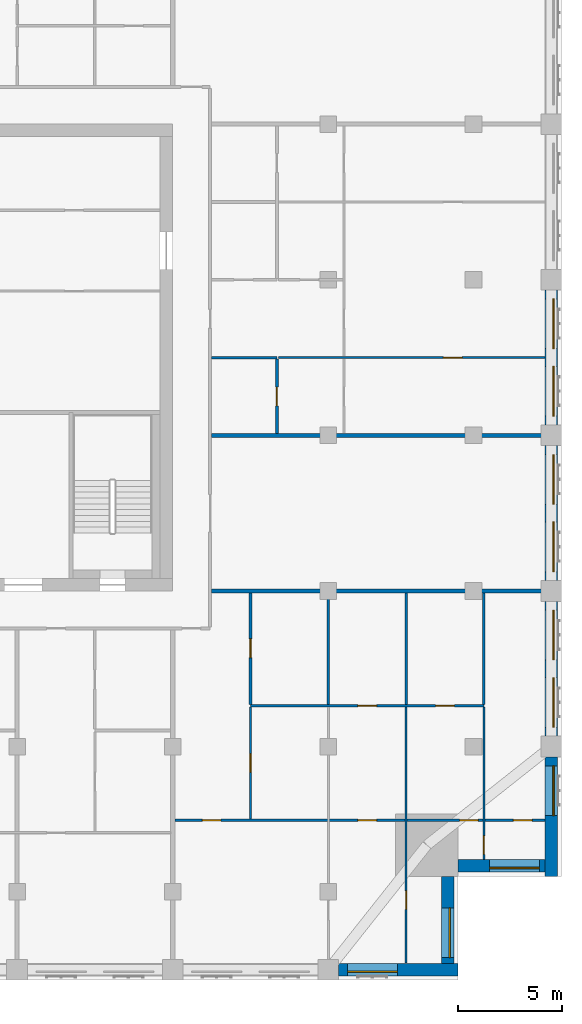
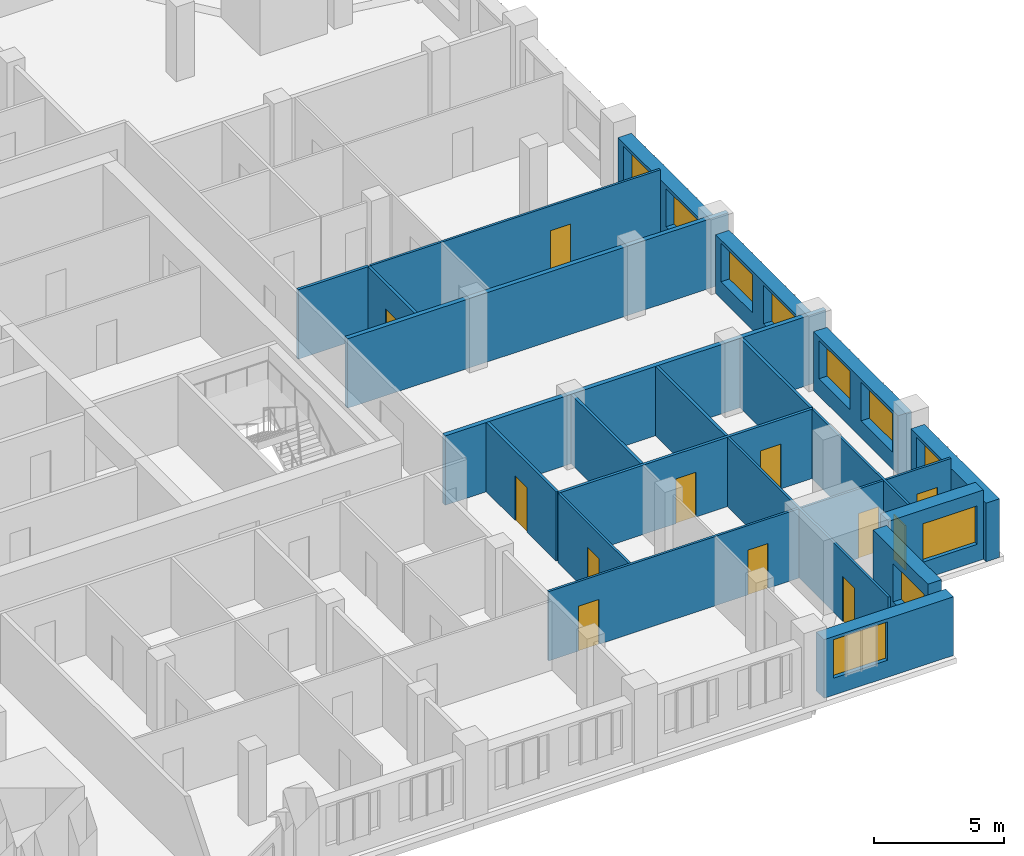
# One storey, part 5 of 11: 21 walls, 12 doors, 10 windows, 22 openings.
"""IFC4 building model written with IfcOpenShell, lengths in metres."""

import ifcopenshell
import ifcopenshell.guid

model = None  # the IFC model being written
_history = None  # IfcOwnerHistory: only IFC2X3 demands one
_inside = {}  # id of a spatial element -> (the spatial element, [elements in it])
_under = {}  # id of a project, library or spatial element -> (it, [spatial elements below it])
_declared = {}  # id of a project -> (the project, [libraries it declares])
_typed = {}  # id of a type object -> (the type object, [elements of that type])
_made_of = {}  # id of a material, layer set ... -> (it, [elements and type objects made of it])


def new_model(schema):
    """Start an empty IFC model of exactly this schema.

    Asked for "IFC4X3", IfcOpenShell would pick the latest addendum, in which some entities
    have other attributes; the version numbers below select the first issue.
    IFC2X3 requires an IfcOwnerHistory on every rooted entity: one is made here for all.
    """
    global model, _history
    if schema == "IFC4X3":
        model = ifcopenshell.file(schema_version=(4, 3, 0, 0))
    else:
        model = ifcopenshell.file(schema=schema)
    _inside.clear()
    _under.clear()
    _declared.clear()
    _typed.clear()
    _made_of.clear()
    _history = None
    if model.schema == "IFC2X3":
        org = make("IfcOrganization", Name="unknown")
        user = make(
            "IfcPersonAndOrganization",
            ThePerson=make("IfcPerson", FamilyName="unknown"),
            TheOrganization=org,
        )
        app = make(
            "IfcApplication",
            ApplicationDeveloper=org,
            Version="unknown",
            ApplicationFullName="unknown",
            ApplicationIdentifier="unknown",
        )
        _history = make(
            "IfcOwnerHistory",
            OwningUser=user,
            OwningApplication=app,
            ChangeAction="ADDED",
            CreationDate=0,
        )
    return model


def make(cls, **values):
    """One entity of the class cls with the attributes given. An attribute that is None is left unset."""
    return model.create_entity(
        cls, **{name: value for name, value in values.items() if value is not None}
    )


def rooted(cls, **values):
    """An entity with a GlobalId (a new one), such as an element, a storey or a relation."""
    return make(cls, GlobalId=ifcopenshell.guid.new(), OwnerHistory=_history, **values)


def si_unit(unit_type, name, prefix=None):
    """IfcSIUnit, for example si_unit("LENGTHUNIT", "METRE", prefix="MILLI")."""
    return make("IfcSIUnit", UnitType=unit_type, Prefix=prefix, Name=name)


def assignment(units):
    """IfcUnitAssignment: the units of a project."""
    return None if units is None else make("IfcUnitAssignment", Units=units)


def point(xyz):
    """IfcCartesianPoint."""
    return None if xyz is None else make("IfcCartesianPoint", Coordinates=xyz)


def direction(xyz):
    """IfcDirection."""
    return None if xyz is None else make("IfcDirection", DirectionRatios=xyz)


def frame(location, z_axis=None, x_axis=None):
    """IfcAxis2Placement3D, a coordinate frame: its origin and axes. An axis left out is left unset."""
    return make(
        "IfcAxis2Placement3D",
        Location=point(location),
        Axis=direction(z_axis),
        RefDirection=direction(x_axis),
    )


def frame_2d(location, x_axis=None):
    """IfcAxis2Placement2D, a coordinate frame in the plane: its origin and x axis."""
    return make(
        "IfcAxis2Placement2D", Location=point(location), RefDirection=direction(x_axis)
    )


def origin():
    """The frame at (0, 0, 0) with its axes left unset."""
    return frame((0.0, 0.0, 0.0))


def place(relative_to, where):
    """IfcLocalPlacement: puts the frame where relative to a parent placement (None: the world)."""
    return make(
        "IfcLocalPlacement", PlacementRelTo=relative_to, RelativePlacement=where
    )


def context(
    kind, dimensions, precision=None, world=None, true_north=None, identifier=None
):
    """IfcGeometricRepresentationContext, for example the 3D "Model" context."""
    return make(
        "IfcGeometricRepresentationContext",
        ContextIdentifier=identifier,
        ContextType=kind,
        CoordinateSpaceDimension=dimensions,
        Precision=precision,
        WorldCoordinateSystem=world,
        TrueNorth=true_north,
    )


def subcontext(parent, identifier, kind, view, scale=None):
    """IfcGeometricRepresentationSubContext, for example "Body" below "Model"."""
    return make(
        "IfcGeometricRepresentationSubContext",
        ContextIdentifier=identifier,
        ContextType=kind,
        ParentContext=parent,
        TargetScale=scale,
        TargetView=view,
    )


def project(units=None, contexts=None):
    """IfcProject with its units and contexts."""
    return rooted(
        "IfcProject",
        Name="project",
        RepresentationContexts=contexts,
        UnitsInContext=assignment(units),
    )


def spatial(cls, under=None, at=None, **own):
    """A site, building, storey or space (cls), placed at a placement, below another one or the project."""
    s = rooted(cls, ObjectPlacement=at, **own)
    if under is not None:
        _under.setdefault(under.id(), (under, []))[1].append(s)
    return s


def profile(cls, at=None, kind="AREA", **sizes):
    """A parametric profile (cls). Its sizes go by their IFC names, for example OverallWidth=200.0."""
    return make(cls, ProfileType=kind, Position=at, **sizes)


def rectangle(**sizes):
    """IfcRectangleProfileDef."""
    return profile("IfcRectangleProfileDef", **sizes)


def extrude(swept, where, along, depth):
    """IfcExtrudedAreaSolid: the profile swept, set in the frame where, extruded along a direction by depth."""
    return make(
        "IfcExtrudedAreaSolid",
        SweptArea=swept,
        Position=where,
        ExtrudedDirection=direction(along),
        Depth=depth,
    )


def shape(context_of_items, identifier, shape_type, items):
    """IfcShapeRepresentation: the items that make up one representation, for example the "Body"."""
    return make(
        "IfcShapeRepresentation",
        ContextOfItems=context_of_items,
        RepresentationIdentifier=identifier,
        RepresentationType=shape_type,
        Items=items,
    )


def material(Name=None, Category=None):
    """IfcMaterial."""
    return make("IfcMaterial", Name=Name, Category=Category)


def layer(
    of_material, thickness, ventilated=None, Name=None, Category=None, Priority=None
):
    """IfcMaterialLayer: one layer of a wall or slab, of a material (None: an air gap)."""
    return make(
        "IfcMaterialLayer",
        Material=of_material,
        LayerThickness=thickness,
        IsVentilated=ventilated,
        Name=Name,
        Category=Category,
        Priority=Priority,
    )


def layer_set(layers, Name=None):
    """IfcMaterialLayerSet."""
    return make("IfcMaterialLayerSet", MaterialLayers=layers, LayerSetName=Name)


def made_of(thing, what):
    """Note that an element or type object is made of a material, layer set ...; save() writes the relation."""
    if what is not None:
        _made_of.setdefault(what.id(), (what, []))[1].append(thing)
    return thing


def type_object(cls, material=None, **own):
    """A type object (cls), such as IfcWallType, which elements share."""
    return made_of(rooted(cls, **own), material)


def element(
    cls,
    number,
    at=None,
    inside=None,
    cuts=None,
    type_object=None,
    material=None,
    context=None,
    identifier="Body",
    shape_type=None,
    held_by="IfcProductDefinitionShape",
    body=None,
    shapes=None,
    **own,
):
    """One element of the class cls, such as IfcWall. Its Tag is "e" and its number.

    at: its placement. inside: the storey or other place that contains it. cuts: it is an
    opening in that element (IfcRelVoidsElement). A single representation is given by context,
    identifier, shape_type and body (its items); several are given by shapes. held_by: the class
    of the entity that holds the representations. save() writes the other relations.
    """
    e = rooted(cls, Tag="e%d" % number, ObjectPlacement=at, **own)
    if body is not None:
        shapes = [shape(context, identifier, shape_type, body)]
    if shapes is not None:
        e.Representation = make(held_by, Representations=shapes)
    if inside is not None:
        _inside.setdefault(inside.id(), (inside, []))[1].append(e)
    if cuts is not None:
        rooted(
            "IfcRelVoidsElement", RelatingBuildingElement=cuts, RelatedOpeningElement=e
        )
    if type_object is not None:
        _typed.setdefault(type_object.id(), (type_object, []))[1].append(e)
    return made_of(e, material)


def fill(opening, filler):
    """IfcRelFillsElement: the door or window that sits in an opening."""
    return rooted(
        "IfcRelFillsElement",
        RelatingOpeningElement=opening,
        RelatedBuildingElement=filler,
    )


def aggregate(whole, parts):
    """IfcRelAggregates: a whole, such as a stair, and the parts it consists of."""
    return rooted("IfcRelAggregates", RelatingObject=whole, RelatedObjects=parts)


def save(model, path):
    """Write the relations noted so far, then the file.

    IfcRelAggregates (storeys below a building ...), IfcRelContainedInSpatialStructure (elements
    in a storey), IfcRelDefinesByType, IfcRelAssociatesMaterial and IfcRelDeclares: one each for
    every whole, place, type object, material and project.
    """
    for whole, parts in _under.values():
        aggregate(whole, parts)
    for where, things in _inside.values():
        rooted(
            "IfcRelContainedInSpatialStructure",
            RelatedElements=things,
            RelatingStructure=where,
        )
    for kind, things in _typed.values():
        rooted("IfcRelDefinesByType", RelatedObjects=things, RelatingType=kind)
    for what, things in _made_of.values():
        rooted("IfcRelAssociatesMaterial", RelatedObjects=things, RelatingMaterial=what)
    for by, libraries in _declared.values():
        rooted("IfcRelDeclares", RelatingContext=by, RelatedDefinitions=libraries)
    model.write(path)


model = new_model("IFC4")

# Units and contexts
model_context = context("Model", 3, precision=1e-05, world=origin(), true_north=direction((0.0, 1.0)))
body_context = subcontext(model_context, "Body", "Model", "MODEL_VIEW")
ifc_project = project(units=[si_unit("LENGTHUNIT", "METRE"), si_unit("AREAUNIT", "SQUARE_METRE"), si_unit("VOLUMEUNIT", "CUBIC_METRE"), si_unit("PLANEANGLEUNIT", "RADIAN"), si_unit("MASSUNIT", "GRAM", prefix="KILO")], contexts=[model_context])

# Site, building, storey
site_placement = place(None, origin())
site = spatial("IfcSite", under=ifc_project, at=site_placement, CompositionType="ELEMENT")
building_placement = place(site_placement, origin())
building = spatial("IfcBuilding", under=site, at=building_placement, Name="Tamorin Gate", CompositionType="ELEMENT")
storey_placement = place(building_placement, frame((0.0, 0.0, 247.699951171875)))
storey = spatial("IfcBuildingStorey", under=building, at=storey_placement, Name="L62", CompositionType="ELEMENT", Elevation=247.699951171875)

# Wall, opening, window
ifc_material_1 = material(Name="Precast concrete C40/50", Category="concrete")
ifc_layer_1 = layer(ifc_material_1, 0.60009765625)
ifc_layer_set_1 = layer_set([ifc_layer_1], Name="Precast concrete C40/50")
wall_type_1 = type_object("IfcWallType", Name="Board-marked concrete facade panel 600", PredefinedType="SOLIDWALL", material=ifc_layer_set_1)
wall_1_placement = place(storey_placement, frame((68.0, 41.75, 0.0), z_axis=(0.0, 0.0, 1.0), x_axis=(1.0, 0.0, 0.0)))
wall_1 = element("IfcWall", 1, at=wall_1_placement, inside=storey, type_object=wall_type_1, Name="Facade panel", PredefinedType="SOLIDWALL", context=body_context, shape_type="SweptSolid", body=[
    extrude(rectangle(XDim=5.75, YDim=0.60009765625, at=frame_2d((2.875, 0.0))), origin(), (0.0, 0.0, 1.0), 2.75),
])
opening_1_placement = place(wall_1_placement, frame((0.425048828125, 0.0, 0.800048828125)))
opening_1 = element("IfcOpeningElement", 2, at=opening_1_placement, cuts=wall_1, Name="Opening WN1", PredefinedType="OPENING", context=body_context, shape_type="SweptSolid", body=[
    extrude(rectangle(XDim=2.39990234375, YDim=1.800048828125, at=frame_2d((1.199951171875, 0.89990234375))), frame((0.0, 0.31005859375, 0.0), z_axis=(0.0, -1.0, 0.0), x_axis=(1.0, 0.0, 0.0)), (0.0, 0.0, 1.0), 0.6201171875),
])
ifc_material_2 = material(Name="Clear glass in aluminium frame", Category="aluminium")
window_type = type_object("IfcWindowType", Name="Deep-set window 2400x1800", PartitioningType="SINGLE_PANEL", PredefinedType="WINDOW", material=ifc_material_2)
window_1_placement = place(opening_1_placement, origin())
window_1 = element("IfcWindow", 3, at=window_1_placement, inside=storey, type_object=window_type, Name="Deep-set window", OverallHeight=1.800048828125, OverallWidth=2.39990234375, PartitioningType="SINGLE_PANEL", PredefinedType="WINDOW", context=body_context, shape_type="SweptSolid", body=[
    extrude(rectangle(XDim=2.39990234375, YDim=1.800048828125, at=frame_2d((1.199951171875, 0.89990234375))), frame((0.0, -0.070068359375, 0.0), z_axis=(0.0, -1.0, 0.0), x_axis=(1.0, 0.0, 0.0)), (0.0, 0.0, 1.0), 0.06005859375),
])
fill(opening_1, window_1)

wall_2_placement = place(storey_placement, frame((73.25, 42.050048828125, 0.0), z_axis=(0.0, 0.0, 1.0), x_axis=(0.0, 1.0, 0.0)))
wall_2 = element("IfcWall", 4, at=wall_2_placement, inside=storey, type_object=wall_type_1, Name="Facade panel", PredefinedType="SOLIDWALL", context=body_context, shape_type="SweptSolid", body=[
    extrude(rectangle(XDim=4.199951171875, YDim=0.60009765625, at=frame_2d((2.10009765625, 0.0))), origin(), (0.0, 0.0, 1.0), 3.25),
])
opening_2_placement = place(wall_2_placement, frame((0.27490234375, 0.0, 0.800048828125)))
opening_2 = element("IfcOpeningElement", 5, at=opening_2_placement, cuts=wall_2, Name="Opening WN1", PredefinedType="OPENING", context=body_context, shape_type="SweptSolid", body=[
    extrude(rectangle(XDim=2.39990234375, YDim=1.800048828125, at=frame_2d((1.199951171875, 0.89990234375))), frame((0.0, 0.31005859375, 0.0), z_axis=(0.0, -1.0, 0.0), x_axis=(1.0, 0.0, 0.0)), (0.0, 0.0, 1.0), 0.6201171875),
])
window_2_placement = place(opening_2_placement, origin())
window_2 = element("IfcWindow", 6, at=window_2_placement, inside=storey, type_object=window_type, Name="Deep-set window", OverallHeight=1.800048828125, OverallWidth=2.39990234375, PartitioningType="SINGLE_PANEL", PredefinedType="WINDOW", context=body_context, shape_type="SweptSolid", body=[
    extrude(rectangle(XDim=2.39990234375, YDim=1.800048828125, at=frame_2d((1.199951171875, 0.89990234375))), frame((0.0, -0.070068359375, 0.0), z_axis=(0.0, -1.0, 0.0), x_axis=(1.0, 0.0, 0.0)), (0.0, 0.0, 1.0), 0.06005859375),
])
fill(opening_2, window_2)

wall_3_placement = place(storey_placement, frame((73.75, 46.75, 0.0), z_axis=(0.0, 0.0, 1.0), x_axis=(1.0, 0.0, 0.0)))
wall_3 = element("IfcWall", 7, at=wall_3_placement, inside=storey, type_object=wall_type_1, Name="Facade panel", PredefinedType="SOLIDWALL", context=body_context, shape_type="SweptSolid", body=[
    extrude(rectangle(XDim=4.199951171875, YDim=0.60009765625, at=frame_2d((2.10009765625, 0.0))), origin(), (0.0, 0.0, 1.0), 3.25),
])
opening_3_placement = place(wall_3_placement, frame((1.52490234375, 0.0, 0.800048828125)))
opening_3 = element("IfcOpeningElement", 8, at=opening_3_placement, cuts=wall_3, Name="Opening WN1", PredefinedType="OPENING", context=body_context, shape_type="SweptSolid", body=[
    extrude(rectangle(XDim=2.39990234375, YDim=1.800048828125, at=frame_2d((1.199951171875, 0.89990234375))), frame((0.0, 0.31005859375, 0.0), z_axis=(0.0, -1.0, 0.0), x_axis=(1.0, 0.0, 0.0)), (0.0, 0.0, 1.0), 0.6201171875),
])
window_3_placement = place(opening_3_placement, origin())
window_3 = element("IfcWindow", 9, at=window_3_placement, inside=storey, type_object=window_type, Name="Deep-set window", OverallHeight=1.800048828125, OverallWidth=2.39990234375, PartitioningType="SINGLE_PANEL", PredefinedType="WINDOW", context=body_context, shape_type="SweptSolid", body=[
    extrude(rectangle(XDim=2.39990234375, YDim=1.800048828125, at=frame_2d((1.199951171875, 0.89990234375))), frame((0.0, -0.070068359375, 0.0), z_axis=(0.0, -1.0, 0.0), x_axis=(1.0, 0.0, 0.0)), (0.0, 0.0, 1.0), 0.06005859375),
])
fill(opening_3, window_3)

wall_4_placement = place(storey_placement, frame((78.25, 46.25, 0.0), z_axis=(0.0, 0.0, 1.0), x_axis=(0.0, 1.0, 0.0)))
wall_4 = element("IfcWall", 10, at=wall_4_placement, inside=storey, type_object=wall_type_1, Name="Facade panel", PredefinedType="SOLIDWALL", context=body_context, shape_type="SweptSolid", body=[
    extrude(rectangle(XDim=5.75, YDim=0.60009765625, at=frame_2d((2.875, 0.0))), origin(), (0.0, 0.0, 1.0), 2.75),
])
opening_4_placement = place(wall_4_placement, frame((2.925048828125, 0.0, 0.800048828125)))
opening_4 = element("IfcOpeningElement", 11, at=opening_4_placement, cuts=wall_4, Name="Opening WN1", PredefinedType="OPENING", context=body_context, shape_type="SweptSolid", body=[
    extrude(rectangle(XDim=2.39990234375, YDim=1.800048828125, at=frame_2d((1.199951171875, 0.89990234375))), frame((0.0, 0.31005859375, 0.0), z_axis=(0.0, -1.0, 0.0), x_axis=(1.0, 0.0, 0.0)), (0.0, 0.0, 1.0), 0.6201171875),
])
window_4_placement = place(opening_4_placement, origin())
window_4 = element("IfcWindow", 12, at=window_4_placement, inside=storey, type_object=window_type, Name="Deep-set window", OverallHeight=1.800048828125, OverallWidth=2.39990234375, PartitioningType="SINGLE_PANEL", PredefinedType="WINDOW", context=body_context, shape_type="SweptSolid", body=[
    extrude(rectangle(XDim=2.39990234375, YDim=1.800048828125, at=frame_2d((1.199951171875, 0.89990234375))), frame((0.0, -0.070068359375, 0.0), z_axis=(0.0, -1.0, 0.0), x_axis=(1.0, 0.0, 0.0)), (0.0, 0.0, 1.0), 0.06005859375),
])
fill(opening_4, window_4)

# Wall, openings, windows
wall_5_placement = place(storey_placement, frame((78.25, 53.0, 0.0), z_axis=(0.0, 0.0, 1.0), x_axis=(0.0, 1.0, 0.0)))
wall_5 = element("IfcWall", 13, at=wall_5_placement, inside=storey, type_object=wall_type_1, Name="Facade panel", PredefinedType="SOLIDWALL", context=body_context, shape_type="SweptSolid", body=[
    extrude(rectangle(XDim=6.5, YDim=0.60009765625, at=frame_2d((3.25, 0.0))), origin(), (0.0, 0.0, 1.0), 2.75),
])
opening_5_placement = place(wall_5_placement, frame((0.425048828125, 0.0, 0.800048828125)))
opening_5 = element("IfcOpeningElement", 14, at=opening_5_placement, cuts=wall_5, Name="Opening WN1", PredefinedType="OPENING", context=body_context, shape_type="SweptSolid", body=[
    extrude(rectangle(XDim=2.39990234375, YDim=1.800048828125, at=frame_2d((1.199951171875, 0.89990234375))), frame((0.0, 0.31005859375, 0.0), z_axis=(0.0, -1.0, 0.0), x_axis=(1.0, 0.0, 0.0)), (0.0, 0.0, 1.0), 0.6201171875),
])
opening_6_placement = place(wall_5_placement, frame((3.675048828125, 0.0, 0.800048828125)))
opening_6 = element("IfcOpeningElement", 15, at=opening_6_placement, cuts=wall_5, Name="Opening WN1", PredefinedType="OPENING", context=body_context, shape_type="SweptSolid", body=[
    extrude(rectangle(XDim=2.39990234375, YDim=1.800048828125, at=frame_2d((1.199951171875, 0.89990234375))), frame((0.0, 0.31005859375, 0.0), z_axis=(0.0, -1.0, 0.0), x_axis=(1.0, 0.0, 0.0)), (0.0, 0.0, 1.0), 0.6201171875),
])
window_5_placement = place(opening_5_placement, origin())
window_5 = element("IfcWindow", 16, at=window_5_placement, inside=storey, type_object=window_type, Name="Deep-set window", OverallHeight=1.800048828125, OverallWidth=2.39990234375, PartitioningType="SINGLE_PANEL", PredefinedType="WINDOW", context=body_context, shape_type="SweptSolid", body=[
    extrude(rectangle(XDim=2.39990234375, YDim=1.800048828125, at=frame_2d((1.199951171875, 0.89990234375))), frame((0.0, -0.070068359375, 0.0), z_axis=(0.0, -1.0, 0.0), x_axis=(1.0, 0.0, 0.0)), (0.0, 0.0, 1.0), 0.06005859375),
])
fill(opening_5, window_5)
window_6_placement = place(opening_6_placement, origin())
window_6 = element("IfcWindow", 17, at=window_6_placement, inside=storey, type_object=window_type, Name="Deep-set window", OverallHeight=1.800048828125, OverallWidth=2.39990234375, PartitioningType="SINGLE_PANEL", PredefinedType="WINDOW", context=body_context, shape_type="SweptSolid", body=[
    extrude(rectangle(XDim=2.39990234375, YDim=1.800048828125, at=frame_2d((1.199951171875, 0.89990234375))), frame((0.0, -0.070068359375, 0.0), z_axis=(0.0, -1.0, 0.0), x_axis=(1.0, 0.0, 0.0)), (0.0, 0.0, 1.0), 0.06005859375),
])
fill(opening_6, window_6)

wall_6_placement = place(storey_placement, frame((78.25, 60.5, 0.0), z_axis=(0.0, 0.0, 1.0), x_axis=(0.0, 1.0, 0.0)))
wall_6 = element("IfcWall", 18, at=wall_6_placement, inside=storey, type_object=wall_type_1, Name="Facade panel", PredefinedType="SOLIDWALL", context=body_context, shape_type="SweptSolid", body=[
    extrude(rectangle(XDim=6.5, YDim=0.60009765625, at=frame_2d((3.25, 0.0))), origin(), (0.0, 0.0, 1.0), 2.75),
])
opening_7_placement = place(wall_6_placement, frame((0.425048828125, 0.0, 0.800048828125)))
opening_7 = element("IfcOpeningElement", 19, at=opening_7_placement, cuts=wall_6, Name="Opening WN1", PredefinedType="OPENING", context=body_context, shape_type="SweptSolid", body=[
    extrude(rectangle(XDim=2.39990234375, YDim=1.800048828125, at=frame_2d((1.199951171875, 0.89990234375))), frame((0.0, 0.31005859375, 0.0), z_axis=(0.0, -1.0, 0.0), x_axis=(1.0, 0.0, 0.0)), (0.0, 0.0, 1.0), 0.6201171875),
])
opening_8_placement = place(wall_6_placement, frame((3.675048828125, 0.0, 0.800048828125)))
opening_8 = element("IfcOpeningElement", 20, at=opening_8_placement, cuts=wall_6, Name="Opening WN1", PredefinedType="OPENING", context=body_context, shape_type="SweptSolid", body=[
    extrude(rectangle(XDim=2.39990234375, YDim=1.800048828125, at=frame_2d((1.199951171875, 0.89990234375))), frame((0.0, 0.31005859375, 0.0), z_axis=(0.0, -1.0, 0.0), x_axis=(1.0, 0.0, 0.0)), (0.0, 0.0, 1.0), 0.6201171875),
])
window_7_placement = place(opening_7_placement, origin())
window_7 = element("IfcWindow", 21, at=window_7_placement, inside=storey, type_object=window_type, Name="Deep-set window", OverallHeight=1.800048828125, OverallWidth=2.39990234375, PartitioningType="SINGLE_PANEL", PredefinedType="WINDOW", context=body_context, shape_type="SweptSolid", body=[
    extrude(rectangle(XDim=2.39990234375, YDim=1.800048828125, at=frame_2d((1.199951171875, 0.89990234375))), frame((0.0, -0.070068359375, 0.0), z_axis=(0.0, -1.0, 0.0), x_axis=(1.0, 0.0, 0.0)), (0.0, 0.0, 1.0), 0.06005859375),
])
fill(opening_7, window_7)
window_8_placement = place(opening_8_placement, origin())
window_8 = element("IfcWindow", 22, at=window_8_placement, inside=storey, type_object=window_type, Name="Deep-set window", OverallHeight=1.800048828125, OverallWidth=2.39990234375, PartitioningType="SINGLE_PANEL", PredefinedType="WINDOW", context=body_context, shape_type="SweptSolid", body=[
    extrude(rectangle(XDim=2.39990234375, YDim=1.800048828125, at=frame_2d((1.199951171875, 0.89990234375))), frame((0.0, -0.070068359375, 0.0), z_axis=(0.0, -1.0, 0.0), x_axis=(1.0, 0.0, 0.0)), (0.0, 0.0, 1.0), 0.06005859375),
])
fill(opening_8, window_8)

wall_7_placement = place(storey_placement, frame((78.25, 68.0, 0.0), z_axis=(0.0, 0.0, 1.0), x_axis=(0.0, 1.0, 0.0)))
wall_7 = element("IfcWall", 23, at=wall_7_placement, inside=storey, type_object=wall_type_1, Name="Facade panel", PredefinedType="SOLIDWALL", context=body_context, shape_type="SweptSolid", body=[
    extrude(rectangle(XDim=6.5, YDim=0.60009765625, at=frame_2d((3.25, 0.0))), origin(), (0.0, 0.0, 1.0), 2.75),
])
opening_9_placement = place(wall_7_placement, frame((0.425048828125, 0.0, 0.800048828125)))
opening_9 = element("IfcOpeningElement", 24, at=opening_9_placement, cuts=wall_7, Name="Opening WN1", PredefinedType="OPENING", context=body_context, shape_type="SweptSolid", body=[
    extrude(rectangle(XDim=2.39990234375, YDim=1.800048828125, at=frame_2d((1.199951171875, 0.89990234375))), frame((0.0, 0.31005859375, 0.0), z_axis=(0.0, -1.0, 0.0), x_axis=(1.0, 0.0, 0.0)), (0.0, 0.0, 1.0), 0.6201171875),
])
opening_10_placement = place(wall_7_placement, frame((3.675048828125, 0.0, 0.800048828125)))
opening_10 = element("IfcOpeningElement", 25, at=opening_10_placement, cuts=wall_7, Name="Opening WN1", PredefinedType="OPENING", context=body_context, shape_type="SweptSolid", body=[
    extrude(rectangle(XDim=2.39990234375, YDim=1.800048828125, at=frame_2d((1.199951171875, 0.89990234375))), frame((0.0, 0.31005859375, 0.0), z_axis=(0.0, -1.0, 0.0), x_axis=(1.0, 0.0, 0.0)), (0.0, 0.0, 1.0), 0.6201171875),
])
window_9_placement = place(opening_9_placement, origin())
window_9 = element("IfcWindow", 26, at=window_9_placement, inside=storey, type_object=window_type, Name="Deep-set window", OverallHeight=1.800048828125, OverallWidth=2.39990234375, PartitioningType="SINGLE_PANEL", PredefinedType="WINDOW", context=body_context, shape_type="SweptSolid", body=[
    extrude(rectangle(XDim=2.39990234375, YDim=1.800048828125, at=frame_2d((1.199951171875, 0.89990234375))), frame((0.0, -0.070068359375, 0.0), z_axis=(0.0, -1.0, 0.0), x_axis=(1.0, 0.0, 0.0)), (0.0, 0.0, 1.0), 0.06005859375),
])
fill(opening_9, window_9)
window_10_placement = place(opening_10_placement, origin())
window_10 = element("IfcWindow", 27, at=window_10_placement, inside=storey, type_object=window_type, Name="Deep-set window", OverallHeight=1.800048828125, OverallWidth=2.39990234375, PartitioningType="SINGLE_PANEL", PredefinedType="WINDOW", context=body_context, shape_type="SweptSolid", body=[
    extrude(rectangle(XDim=2.39990234375, YDim=1.800048828125, at=frame_2d((1.199951171875, 0.89990234375))), frame((0.0, -0.070068359375, 0.0), z_axis=(0.0, -1.0, 0.0), x_axis=(1.0, 0.0, 0.0)), (0.0, 0.0, 1.0), 0.06005859375),
])
fill(opening_10, window_10)

# Walls
ifc_material_3 = material(Name="Gypsum board partition")
ifc_layer_2 = layer(ifc_material_3, 0.199951171875)
ifc_layer_set_2 = layer_set([ifc_layer_2], Name="Demising wall 200")
wall_type_2 = type_object("IfcWallType", Name="Demising wall 200", PredefinedType="PARTITIONING", material=ifc_layer_set_2)
for number, where, z_axis, x_axis, name in (
    (28, (61.875, 60.0, 0.0), (0.0, 0.0, 1.0), (1.0, 0.0, 0.0), "Demising wall 200"),
    (29, (61.875, 67.5, 0.0), (0.0, 0.0, 1.0), (1.0, 0.0, 0.0), "Demising wall 200"),
):
    element("IfcWall", number, at=place(storey_placement, frame(where, z_axis=z_axis, x_axis=x_axis)), inside=storey, type_object=wall_type_2, Name=name, PredefinedType="PARTITIONING", context=body_context, shape_type="SweptSolid", body=[
        extrude(rectangle(XDim=16.875, YDim=0.199951171875, at=frame_2d((8.4375, 0.0))), origin(), (0.0, 0.0, 1.0), 3.25),
    ])

# Wall, openings, doors
ifc_layer_3 = layer(ifc_material_3, 0.10009765625)
ifc_layer_set_3 = layer_set([ifc_layer_3], Name="Room partition 100")
wall_type_3 = type_object("IfcWallType", Name="Room partition 100", PredefinedType="PARTITIONING", material=ifc_layer_set_3)
wall_8_placement = place(storey_placement, frame((60.10009765625, 48.949951171875, 0.0), z_axis=(0.0, 0.0, 1.0), x_axis=(1.0, 0.0, 0.0)))
wall_8 = element("IfcWall", 30, at=wall_8_placement, inside=storey, type_object=wall_type_3, Name="Room partition 100", PredefinedType="PARTITIONING", context=body_context, shape_type="SweptSolid", body=[
    extrude(rectangle(XDim=17.83984375, YDim=0.10009765625, at=frame_2d((8.919921875, 0.0))), origin(), (0.0, 0.0, 1.0), 3.25),
])
opening_11_placement = place(wall_8_placement, frame((1.324951171875, 0.0, 0.0)))
opening_11 = element("IfcOpeningElement", 31, at=opening_11_placement, cuts=wall_8, Name="Opening DR8015", PredefinedType="OPENING", context=body_context, shape_type="SweptSolid", body=[
    extrude(rectangle(XDim=0.89990234375, YDim=2.10009765625, at=frame_2d((0.449951171875, 1.050048828125))), frame((0.0, 0.06005859375, 0.0), z_axis=(0.0, -1.0, 0.0), x_axis=(1.0, 0.0, 0.0)), (0.0, 0.0, 1.0), 0.1201171875),
])
opening_12_placement = place(wall_8_placement, frame((8.824951171875, 0.0, 0.0)))
opening_12 = element("IfcOpeningElement", 32, at=opening_12_placement, cuts=wall_8, Name="Opening DR8018", PredefinedType="OPENING", context=body_context, shape_type="SweptSolid", body=[
    extrude(rectangle(XDim=0.89990234375, YDim=2.10009765625, at=frame_2d((0.449951171875, 1.050048828125))), frame((0.0, 0.06005859375, 0.0), z_axis=(0.0, -1.0, 0.0), x_axis=(1.0, 0.0, 0.0)), (0.0, 0.0, 1.0), 0.1201171875),
])
opening_13_placement = place(wall_8_placement, frame((13.72509765625, 0.0, 0.0)))
opening_13 = element("IfcOpeningElement", 33, at=opening_13_placement, cuts=wall_8, Name="Opening DR8020", PredefinedType="OPENING", context=body_context, shape_type="SweptSolid", body=[
    extrude(rectangle(XDim=0.89990234375, YDim=2.10009765625, at=frame_2d((0.449951171875, 1.050048828125))), frame((0.0, 0.06005859375, 0.0), z_axis=(0.0, -1.0, 0.0), x_axis=(1.0, 0.0, 0.0)), (0.0, 0.0, 1.0), 0.1201171875),
])
opening_14_placement = place(wall_8_placement, frame((16.324951171875, 0.0, 0.0)))
opening_14 = element("IfcOpeningElement", 34, at=opening_14_placement, cuts=wall_8, Name="Opening DR8022", PredefinedType="OPENING", context=body_context, shape_type="SweptSolid", body=[
    extrude(rectangle(XDim=0.89990234375, YDim=2.10009765625, at=frame_2d((0.449951171875, 1.050048828125))), frame((0.0, 0.06005859375, 0.0), z_axis=(0.0, -1.0, 0.0), x_axis=(1.0, 0.0, 0.0)), (0.0, 0.0, 1.0), 0.1201171875),
])
ifc_material_4 = material(Name="Timber door leaf", Category="wood")
door_type = type_object("IfcDoorType", Name="Door 900 x 2100", OperationType="NOTDEFINED", PredefinedType="DOOR", material=ifc_material_4)
door_1_placement = place(opening_11_placement, origin())
door_1 = element("IfcDoor", 35, at=door_1_placement, inside=storey, type_object=door_type, Name="Door DR8015", OperationType="SINGLE_SWING_LEFT", OverallHeight=2.10009765625, OverallWidth=0.89990234375, PredefinedType="DOOR", context=body_context, shape_type="SweptSolid", body=[
    extrude(rectangle(XDim=0.89990234375, YDim=2.10009765625, at=frame_2d((0.449951171875, 1.050048828125))), frame((0.0, 0.02490234375, 0.0), z_axis=(0.0, -1.0, 0.0), x_axis=(1.0, 0.0, 0.0)), (0.0, 0.0, 1.0), 0.050048828125),
])
fill(opening_11, door_1)
door_2_placement = place(opening_12_placement, origin())
door_2 = element("IfcDoor", 36, at=door_2_placement, inside=storey, type_object=door_type, Name="Door DR8018", OperationType="SINGLE_SWING_LEFT", OverallHeight=2.10009765625, OverallWidth=0.89990234375, PredefinedType="DOOR", context=body_context, shape_type="SweptSolid", body=[
    extrude(rectangle(XDim=0.89990234375, YDim=2.10009765625, at=frame_2d((0.449951171875, 1.050048828125))), frame((0.0, 0.02490234375, 0.0), z_axis=(0.0, -1.0, 0.0), x_axis=(1.0, 0.0, 0.0)), (0.0, 0.0, 1.0), 0.050048828125),
])
fill(opening_12, door_2)
door_3_placement = place(opening_13_placement, origin())
door_3 = element("IfcDoor", 37, at=door_3_placement, inside=storey, type_object=door_type, Name="Door DR8020", OperationType="SINGLE_SWING_RIGHT", OverallHeight=2.10009765625, OverallWidth=0.89990234375, PredefinedType="DOOR", context=body_context, shape_type="SweptSolid", body=[
    extrude(rectangle(XDim=0.89990234375, YDim=2.10009765625, at=frame_2d((0.449951171875, 1.050048828125))), frame((0.0, 0.02490234375, 0.0), z_axis=(0.0, -1.0, 0.0), x_axis=(1.0, 0.0, 0.0)), (0.0, 0.0, 1.0), 0.050048828125),
])
fill(opening_13, door_3)
door_4_placement = place(opening_14_placement, origin())
door_4 = element("IfcDoor", 38, at=door_4_placement, inside=storey, type_object=door_type, Name="Door DR8022", OperationType="SINGLE_SWING_LEFT", OverallHeight=2.10009765625, OverallWidth=0.89990234375, PredefinedType="DOOR", context=body_context, shape_type="SweptSolid", body=[
    extrude(rectangle(XDim=0.89990234375, YDim=2.10009765625, at=frame_2d((0.449951171875, 1.050048828125))), frame((0.0, 0.02490234375, 0.0), z_axis=(0.0, -1.0, 0.0), x_axis=(1.0, 0.0, 0.0)), (0.0, 0.0, 1.0), 0.050048828125),
])
fill(opening_14, door_4)

# Wall, opening, door
wall_9_placement = place(storey_placement, frame((65.08740234375, 71.25, 0.0), z_axis=(0.0, 0.0, 1.0), x_axis=(1.0, 0.0, 0.0)))
wall_9 = element("IfcWall", 39, at=wall_9_placement, inside=storey, type_object=wall_type_3, Name="Room partition 100", PredefinedType="PARTITIONING", context=body_context, shape_type="SweptSolid", body=[
    extrude(rectangle(XDim=12.8525390625, YDim=0.10009765625, at=frame_2d((6.42626953125, 0.0))), origin(), (0.0, 0.0, 1.0), 3.25),
])
opening_15_placement = place(wall_9_placement, frame((7.96240234375, 0.0, 0.0)))
opening_15 = element("IfcOpeningElement", 40, at=opening_15_placement, cuts=wall_9, Name="Opening DR8054", PredefinedType="OPENING", context=body_context, shape_type="SweptSolid", body=[
    extrude(rectangle(XDim=0.89990234375, YDim=2.10009765625, at=frame_2d((0.449951171875, 1.050048828125))), frame((0.0, 0.06005859375, 0.0), z_axis=(0.0, -1.0, 0.0), x_axis=(1.0, 0.0, 0.0)), (0.0, 0.0, 1.0), 0.1201171875),
])
door_5_placement = place(opening_15_placement, origin())
door_5 = element("IfcDoor", 41, at=door_5_placement, inside=storey, type_object=door_type, Name="Door DR8054", OperationType="SINGLE_SWING_RIGHT", OverallHeight=2.10009765625, OverallWidth=0.89990234375, PredefinedType="DOOR", context=body_context, shape_type="SweptSolid", body=[
    extrude(rectangle(XDim=0.89990234375, YDim=2.10009765625, at=frame_2d((0.449951171875, 1.050048828125))), frame((0.0, 0.02490234375, 0.0), z_axis=(0.0, -1.0, 0.0), x_axis=(1.0, 0.0, 0.0)), (0.0, 0.0, 1.0), 0.050048828125),
])
fill(opening_15, door_5)

wall_10_placement = place(storey_placement, frame((63.75, 49.0, 0.0), z_axis=(0.0, 0.0, 1.0), x_axis=(0.0, 1.0, 0.0)))
wall_10 = element("IfcWall", 42, at=wall_10_placement, inside=storey, type_object=wall_type_3, Name="Room partition 100", PredefinedType="PARTITIONING", context=body_context, shape_type="SweptSolid", body=[
    extrude(rectangle(XDim=5.41259765625, YDim=0.10009765625, at=frame_2d((2.706298828125, 0.0))), origin(), (0.0, 0.0, 1.0), 3.25),
])
opening_16_placement = place(wall_10_placement, frame((2.262451171875, 0.0, 0.0)))
opening_16 = element("IfcOpeningElement", 43, at=opening_16_placement, cuts=wall_10, Name="Opening DR8016", PredefinedType="OPENING", context=body_context, shape_type="SweptSolid", body=[
    extrude(rectangle(XDim=0.89990234375, YDim=2.10009765625, at=frame_2d((0.449951171875, 1.050048828125))), frame((0.0, 0.06005859375, 0.0), z_axis=(0.0, -1.0, 0.0), x_axis=(1.0, 0.0, 0.0)), (0.0, 0.0, 1.0), 0.1201171875),
])
door_6_placement = place(opening_16_placement, origin())
door_6 = element("IfcDoor", 44, at=door_6_placement, inside=storey, type_object=door_type, Name="Door DR8016", OperationType="SINGLE_SWING_RIGHT", OverallHeight=2.10009765625, OverallWidth=0.89990234375, PredefinedType="DOOR", context=body_context, shape_type="SweptSolid", body=[
    extrude(rectangle(XDim=0.89990234375, YDim=2.10009765625, at=frame_2d((0.449951171875, 1.050048828125))), frame((0.0, 0.02490234375, 0.0), z_axis=(0.0, -1.0, 0.0), x_axis=(1.0, 0.0, 0.0)), (0.0, 0.0, 1.0), 0.050048828125),
])
fill(opening_16, door_6)

wall_11_placement = place(storey_placement, frame((71.25, 42.06005859375, 0.0), z_axis=(0.0, 0.0, 1.0), x_axis=(0.0, 1.0, 0.0)))
wall_11 = element("IfcWall", 45, at=wall_11_placement, inside=storey, type_object=wall_type_3, Name="Room partition 100", PredefinedType="PARTITIONING", context=body_context, shape_type="SweptSolid", body=[
    extrude(rectangle(XDim=12.3525390625, YDim=0.10009765625, at=frame_2d((6.17626953125, 0.0))), origin(), (0.0, 0.0, 1.0), 3.25),
])
opening_17_placement = place(wall_11_placement, frame((2.590087890625, 0.0, 0.0)))
opening_17 = element("IfcOpeningElement", 46, at=opening_17_placement, cuts=wall_11, Name="Opening DR8024", PredefinedType="OPENING", context=body_context, shape_type="SweptSolid", body=[
    extrude(rectangle(XDim=0.89990234375, YDim=2.10009765625, at=frame_2d((0.449951171875, 1.050048828125))), frame((0.0, 0.06005859375, 0.0), z_axis=(0.0, -1.0, 0.0), x_axis=(1.0, 0.0, 0.0)), (0.0, 0.0, 1.0), 0.1201171875),
])
door_7_placement = place(opening_17_placement, origin())
door_7 = element("IfcDoor", 47, at=door_7_placement, inside=storey, type_object=door_type, Name="Door DR8024", OperationType="SINGLE_SWING_LEFT", OverallHeight=2.10009765625, OverallWidth=0.89990234375, PredefinedType="DOOR", context=body_context, shape_type="SweptSolid", body=[
    extrude(rectangle(XDim=0.89990234375, YDim=2.10009765625, at=frame_2d((0.449951171875, 1.050048828125))), frame((0.0, 0.02490234375, 0.0), z_axis=(0.0, -1.0, 0.0), x_axis=(1.0, 0.0, 0.0)), (0.0, 0.0, 1.0), 0.050048828125),
])
fill(opening_17, door_7)

wall_12_placement = place(storey_placement, frame((75.0, 47.06005859375, 0.0), z_axis=(0.0, 0.0, 1.0), x_axis=(0.0, 1.0, 0.0)))
wall_12 = element("IfcWall", 48, at=wall_12_placement, inside=storey, type_object=wall_type_3, Name="Room partition 100", PredefinedType="PARTITIONING", context=body_context, shape_type="SweptSolid", body=[
    extrude(rectangle(XDim=7.3525390625, YDim=0.10009765625, at=frame_2d((3.67626953125, 0.0))), origin(), (0.0, 0.0, 1.0), 3.25),
])
opening_18_placement = place(wall_12_placement, frame((0.239990234375, 0.0, 0.0)))
opening_18 = element("IfcOpeningElement", 49, at=opening_18_placement, cuts=wall_12, Name="Opening DR8025", PredefinedType="OPENING", context=body_context, shape_type="SweptSolid", body=[
    extrude(rectangle(XDim=0.89990234375, YDim=2.10009765625, at=frame_2d((0.449951171875, 1.050048828125))), frame((0.0, 0.06005859375, 0.0), z_axis=(0.0, -1.0, 0.0), x_axis=(1.0, 0.0, 0.0)), (0.0, 0.0, 1.0), 0.1201171875),
])
door_8_placement = place(opening_18_placement, origin())
door_8 = element("IfcDoor", 50, at=door_8_placement, inside=storey, type_object=door_type, Name="Door DR8025", OperationType="SINGLE_SWING_RIGHT", OverallHeight=2.10009765625, OverallWidth=0.89990234375, PredefinedType="DOOR", context=body_context, shape_type="SweptSolid", body=[
    extrude(rectangle(XDim=0.89990234375, YDim=2.10009765625, at=frame_2d((0.449951171875, 1.050048828125))), frame((0.0, 0.02490234375, 0.0), z_axis=(0.0, -1.0, 0.0), x_axis=(1.0, 0.0, 0.0)), (0.0, 0.0, 1.0), 0.050048828125),
])
fill(opening_18, door_8)

# Wall, openings, doors
ifc_layer_4 = layer(ifc_material_3, 0.125)
ifc_layer_set_4 = layer_set([ifc_layer_4], Name="Wet wall 125")
wall_type_4 = type_object("IfcWallType", Name="Wet wall 125", PredefinedType="PARTITIONING", material=ifc_layer_set_4)
wall_13_placement = place(storey_placement, frame((63.75, 54.47509765625, 0.0), z_axis=(0.0, 0.0, 1.0), x_axis=(1.0, 0.0, 0.0)))
wall_13 = element("IfcWall", 51, at=wall_13_placement, inside=storey, type_object=wall_type_4, Name="Wet wall 125", PredefinedType="PARTITIONING", context=body_context, shape_type="SweptSolid", body=[
    extrude(rectangle(XDim=11.25, YDim=0.125, at=frame_2d((5.625, 0.0))), origin(), (0.0, 0.0, 1.0), 3.25),
])
opening_19_placement = place(wall_13_placement, frame((5.175048828125, 0.0, 0.0)))
opening_19 = element("IfcOpeningElement", 52, at=opening_19_placement, cuts=wall_13, Name="Opening DR8019", PredefinedType="OPENING", context=body_context, shape_type="SweptSolid", body=[
    extrude(rectangle(XDim=0.89990234375, YDim=2.10009765625, at=frame_2d((0.449951171875, 1.050048828125))), frame((0.0, 0.072509765625, 0.0), z_axis=(0.0, -1.0, 0.0), x_axis=(1.0, 0.0, 0.0)), (0.0, 0.0, 1.0), 0.14501953125),
])
opening_20_placement = place(wall_13_placement, frame((8.925048828125, 0.0, 0.0)))
opening_20 = element("IfcOpeningElement", 53, at=opening_20_placement, cuts=wall_13, Name="Opening DR8021", PredefinedType="OPENING", context=body_context, shape_type="SweptSolid", body=[
    extrude(rectangle(XDim=0.89990234375, YDim=2.10009765625, at=frame_2d((0.449951171875, 1.050048828125))), frame((0.0, 0.072509765625, 0.0), z_axis=(0.0, -1.0, 0.0), x_axis=(1.0, 0.0, 0.0)), (0.0, 0.0, 1.0), 0.14501953125),
])
door_9_placement = place(opening_19_placement, origin())
door_9 = element("IfcDoor", 54, at=door_9_placement, inside=storey, type_object=door_type, Name="Door DR8019", OperationType="SINGLE_SWING_LEFT", OverallHeight=2.10009765625, OverallWidth=0.89990234375, PredefinedType="DOOR", context=body_context, shape_type="SweptSolid", body=[
    extrude(rectangle(XDim=0.89990234375, YDim=2.10009765625, at=frame_2d((0.449951171875, 1.050048828125))), frame((0.0, 0.02490234375, 0.0), z_axis=(0.0, -1.0, 0.0), x_axis=(1.0, 0.0, 0.0)), (0.0, 0.0, 1.0), 0.050048828125),
])
fill(opening_19, door_9)
door_10_placement = place(opening_20_placement, origin())
door_10 = element("IfcDoor", 55, at=door_10_placement, inside=storey, type_object=door_type, Name="Door DR8021", OperationType="SINGLE_SWING_LEFT", OverallHeight=2.10009765625, OverallWidth=0.89990234375, PredefinedType="DOOR", context=body_context, shape_type="SweptSolid", body=[
    extrude(rectangle(XDim=0.89990234375, YDim=2.10009765625, at=frame_2d((0.449951171875, 1.050048828125))), frame((0.0, 0.02490234375, 0.0), z_axis=(0.0, -1.0, 0.0), x_axis=(1.0, 0.0, 0.0)), (0.0, 0.0, 1.0), 0.050048828125),
])
fill(opening_20, door_10)

# Wall
wall_14_placement = place(storey_placement, frame((61.875, 71.25, 0.0), z_axis=(0.0, 0.0, 1.0), x_axis=(1.0, 0.0, 0.0)))
element("IfcWall", 56, at=wall_14_placement, inside=storey, type_object=wall_type_4, Name="Wet wall 125", PredefinedType="PARTITIONING", context=body_context, shape_type="SweptSolid", body=[
    extrude(rectangle(XDim=3.14990234375, YDim=0.125, at=frame_2d((1.574951171875, 0.0))), origin(), (0.0, 0.0, 1.0), 3.25),
])

# Wall, opening, door
wall_15_placement = place(storey_placement, frame((63.75, 54.53759765625, 0.0), z_axis=(0.0, 0.0, 1.0), x_axis=(0.0, 1.0, 0.0)))
wall_15 = element("IfcWall", 57, at=wall_15_placement, inside=storey, type_object=wall_type_4, Name="Wet wall 125", PredefinedType="PARTITIONING", context=body_context, shape_type="SweptSolid", body=[
    extrude(rectangle(XDim=5.3623046875, YDim=0.125, at=frame_2d((2.68115234375, 0.0))), origin(), (0.0, 0.0, 1.0), 3.25),
])
opening_21_placement = place(wall_15_placement, frame((2.25, 0.0, 0.0)))
opening_21 = element("IfcOpeningElement", 58, at=opening_21_placement, cuts=wall_15, Name="Opening DR8017", PredefinedType="OPENING", context=body_context, shape_type="SweptSolid", body=[
    extrude(rectangle(XDim=0.89990234375, YDim=2.10009765625, at=frame_2d((0.449951171875, 1.050048828125))), frame((0.0, 0.072509765625, 0.0), z_axis=(0.0, -1.0, 0.0), x_axis=(1.0, 0.0, 0.0)), (0.0, 0.0, 1.0), 0.14501953125),
])
door_11_placement = place(opening_21_placement, origin())
door_11 = element("IfcDoor", 59, at=door_11_placement, inside=storey, type_object=door_type, Name="Door DR8017", OperationType="SINGLE_SWING_RIGHT", OverallHeight=2.10009765625, OverallWidth=0.89990234375, PredefinedType="DOOR", context=body_context, shape_type="SweptSolid", body=[
    extrude(rectangle(XDim=0.89990234375, YDim=2.10009765625, at=frame_2d((0.449951171875, 1.050048828125))), frame((0.0, 0.02490234375, 0.0), z_axis=(0.0, -1.0, 0.0), x_axis=(1.0, 0.0, 0.0)), (0.0, 0.0, 1.0), 0.050048828125),
])
fill(opening_21, door_11)

wall_16_placement = place(storey_placement, frame((65.02490234375, 67.60009765625, 0.0), z_axis=(0.0, 0.0, 1.0), x_axis=(0.0, 1.0, 0.0)))
wall_16 = element("IfcWall", 60, at=wall_16_placement, inside=storey, type_object=wall_type_4, Name="Wet wall 125", PredefinedType="PARTITIONING", context=body_context, shape_type="SweptSolid", body=[
    extrude(rectangle(XDim=3.58740234375, YDim=0.125, at=frame_2d((1.793701171875, 0.0))), origin(), (0.0, 0.0, 1.0), 3.25),
])
opening_22_placement = place(wall_16_placement, frame((1.324951171875, 0.0, 0.0)))
opening_22 = element("IfcOpeningElement", 61, at=opening_22_placement, cuts=wall_16, Name="Opening DR8047", PredefinedType="OPENING", context=body_context, shape_type="SweptSolid", body=[
    extrude(rectangle(XDim=0.89990234375, YDim=2.10009765625, at=frame_2d((0.449951171875, 1.050048828125))), frame((0.0, 0.072509765625, 0.0), z_axis=(0.0, -1.0, 0.0), x_axis=(1.0, 0.0, 0.0)), (0.0, 0.0, 1.0), 0.14501953125),
])
door_12_placement = place(opening_22_placement, origin())
door_12 = element("IfcDoor", 62, at=door_12_placement, inside=storey, type_object=door_type, Name="Door DR8047", OperationType="SINGLE_SWING_LEFT", OverallHeight=2.10009765625, OverallWidth=0.89990234375, PredefinedType="DOOR", context=body_context, shape_type="SweptSolid", body=[
    extrude(rectangle(XDim=0.89990234375, YDim=2.10009765625, at=frame_2d((0.449951171875, 1.050048828125))), frame((0.0, 0.02490234375, 0.0), z_axis=(0.0, -1.0, 0.0), x_axis=(1.0, 0.0, 0.0)), (0.0, 0.0, 1.0), 0.050048828125),
])
fill(opening_22, door_12)

# Walls
for number, where, z_axis, x_axis, name in (
    (63, (67.5, 54.53759765625, 0.0), (0.0, 0.0, 1.0), (0.0, 1.0, 0.0), "Wet wall 125"),
    (64, (71.25, 54.53759765625, 0.0), (0.0, 0.0, 1.0), (0.0, 1.0, 0.0), "Wet wall 125"),
    (65, (75.0, 54.53759765625, 0.0), (0.0, 0.0, 1.0), (0.0, 1.0, 0.0), "Wet wall 125"),
):
    element("IfcWall", number, at=place(storey_placement, frame(where, z_axis=z_axis, x_axis=x_axis)), inside=storey, type_object=wall_type_4, Name=name, PredefinedType="PARTITIONING", context=body_context, shape_type="SweptSolid", body=[
        extrude(rectangle(XDim=5.3623046875, YDim=0.125, at=frame_2d((2.68115234375, 0.0))), origin(), (0.0, 0.0, 1.0), 3.25),
    ])

save(model, "model.ifc")
